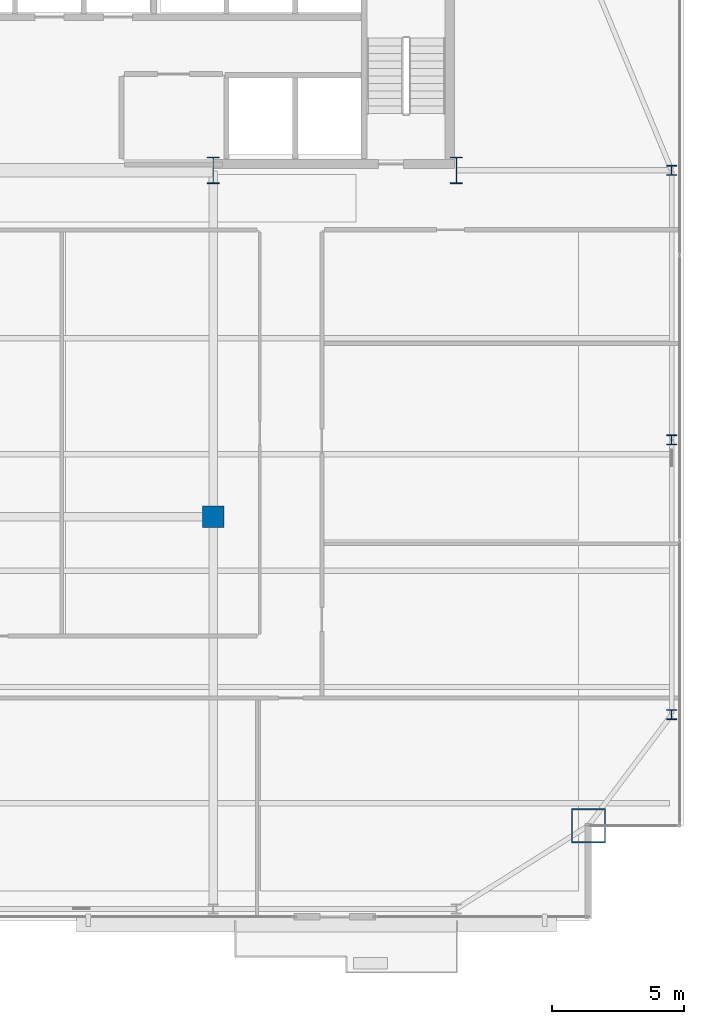
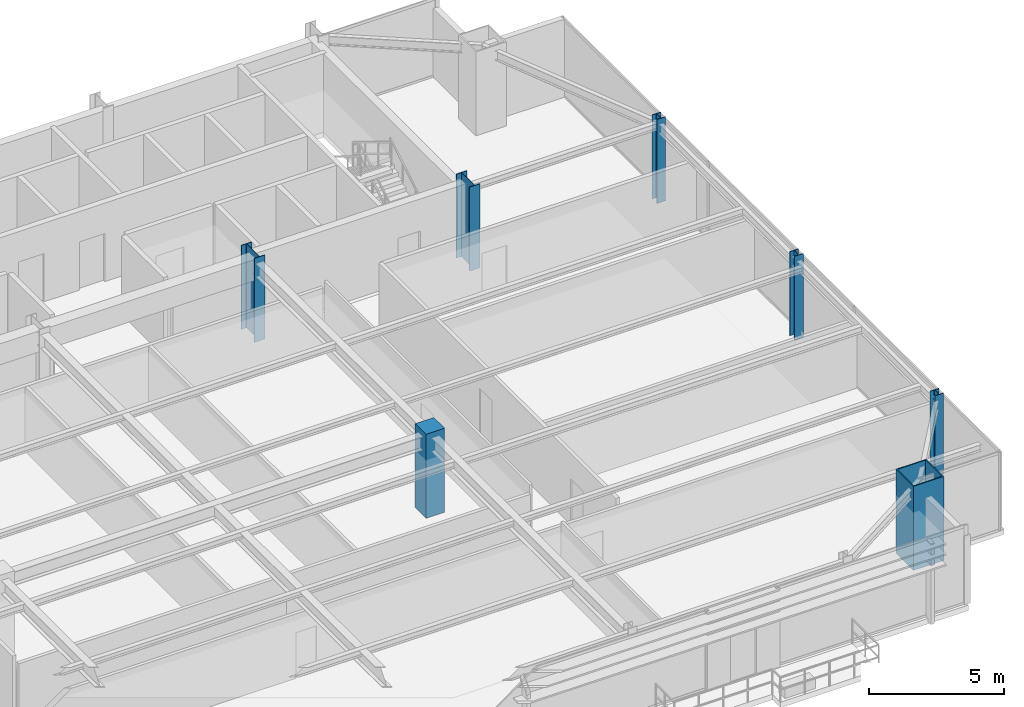
# One storey, part 2 of 31: 7 columns.
"""IFC4 building model written with IfcOpenShell, lengths in metres."""

from ifc_helpers import new_model, si_unit, direction, frame, origin, origin_2d, place, context, subcontext, project, spatial, rectangle, hollow_rectangle, i_section, extrude, source, transform, mapped, material, material_profile, profile_set, type_object, type_shapes, element, save


model = new_model("IFC4")

# Units and contexts
model_context = context("Model", 3, precision=1e-05, world=origin(), true_north=direction((0.0, 1.0)))
body_context = subcontext(model_context, "Body", "Model", "MODEL_VIEW")
ifc_project = project(units=[si_unit("LENGTHUNIT", "METRE"), si_unit("AREAUNIT", "SQUARE_METRE"), si_unit("VOLUMEUNIT", "CUBIC_METRE"), si_unit("PLANEANGLEUNIT", "RADIAN"), si_unit("MASSUNIT", "GRAM", prefix="KILO")], contexts=[model_context])

# Site, building, storey
site_placement = place(None, origin())
site = spatial("IfcSite", under=ifc_project, at=site_placement, CompositionType="ELEMENT")
building_placement = place(site_placement, origin())
building = spatial("IfcBuilding", under=site, at=building_placement, Name="Varnel Quay Broadcast Tower", CompositionType="ELEMENT")
storey_placement = place(building_placement, frame((0.0, 0.0, 183.800048828125)))
storey = spatial("IfcBuildingStorey", under=building, at=storey_placement, Name="L45", CompositionType="ELEMENT", Elevation=183.800048828125)

# Columns
ifc_material_1 = material(Name="Structural Steel CSA G40.21 350WT", Category="steel")
ifc_material_profile_1 = material_profile(ifc_material_1, i_section(OverallWidth=0.449951171875, OverallDepth=1.0, WebThickness=0.01611328125, FlangeThickness=0.030029296875, FilletRadius=0.01611328125, at=origin_2d()), Name="WWF1000X362")
ifc_profile_set_1 = profile_set([ifc_material_profile_1], Name="Structural Steel CSA G40.21 350WT")
column_type_1 = type_object("IfcColumnType", Name="Col_WWF1000X362", PredefinedType="COLUMN", material=ifc_profile_set_1)
shared_shape_1 = source(origin(), body_context, "Body", "SweptSolid", [
    extrude(i_section(OverallWidth=0.449951171875, OverallDepth=1.0, WebThickness=0.01611328125, FlangeThickness=0.030029296875, FilletRadius=0.01611328125, at=origin_2d()), origin(), (0.0, 0.0, 1.0), 3.800048828125),
])
type_shapes(column_type_1, [shared_shape_1])
for number, where, z_axis, x_axis, name in (
    (1, (43.199951171875, 35.60009765625, 0.0), (0.0, 0.0, 1.0), (1.0, 0.0, 0.0), "L45 Column CC-S4"),
    (2, (52.39990234375, 35.60009765625, 0.0), (0.0, 0.0, 1.0), (1.0, 0.0, 0.0), "L45 Column CC-S5"),
):
    element("IfcColumn", number, at=place(storey_placement, frame(where, z_axis=z_axis, x_axis=x_axis)), inside=storey, type_object=column_type_1, Name=name, PredefinedType="COLUMN", context=body_context, shape_type="MappedRepresentation", body=[
        mapped(shared_shape_1, transform((0.0, 0.0, 0.0), x_axis=(1.0, 0.0, 0.0), y_axis=(0.0, 1.0, 0.0), z_axis=(0.0, 0.0, 1.0), scale=1.0)),
    ])
ifc_material_profile_2 = material_profile(ifc_material_1, hollow_rectangle(XDim=1.300048828125, YDim=1.300048828125, WallThickness=0.050048828125, at=origin_2d()), Name="BOX1300X1300X50")
ifc_profile_set_2 = profile_set([ifc_material_profile_2], Name="Structural Steel CSA G40.21 350WT")
column_type_2 = type_object("IfcColumnType", Name="Col_BOX1300X1300X50", PredefinedType="COLUMN", material=ifc_profile_set_2)
shared_shape_2 = source(origin(), body_context, "Body", "SweptSolid", [
    extrude(hollow_rectangle(XDim=1.300048828125, YDim=1.300048828125, WallThickness=0.050048828125, at=origin_2d()), origin(), (0.0, 0.0, 1.0), 3.800048828125),
])
type_shapes(column_type_2, [shared_shape_2])
column_1_placement = place(storey_placement, frame((57.39990234375, 10.800048828125, 0.0), z_axis=(0.0, 0.0, 1.0), x_axis=(1.0, 0.0, 0.0)))
element("IfcColumn", 3, at=column_1_placement, inside=storey, type_object=column_type_2, Name="L45 Column MC-SE", PredefinedType="COLUMN", context=body_context, shape_type="MappedRepresentation", body=[
    mapped(shared_shape_2, transform((0.0, 0.0, 0.0), x_axis=(1.0, 0.0, 0.0), y_axis=(0.0, 1.0, 0.0), z_axis=(0.0, 0.0, 1.0), scale=1.0)),
])
ifc_material_2 = material(Name="Structural Steel CSA G40.21 350W", Category="steel")
ifc_material_profile_3 = material_profile(ifc_material_2, i_section(OverallWidth=0.3740234375, OverallDepth=0.3720703125, WebThickness=0.016357421875, FlangeThickness=0.026123046875, FilletRadius=0.01611328125, at=origin_2d()), Name="W360X196")
ifc_profile_set_3 = profile_set([ifc_material_profile_3], Name="Structural Steel CSA G40.21 350W")
column_type_3 = type_object("IfcColumnType", Name="Col_W360X196", PredefinedType="COLUMN", material=ifc_profile_set_3)
shared_shape_3 = source(origin(), body_context, "Body", "SweptSolid", [
    extrude(i_section(OverallWidth=0.3740234375, OverallDepth=0.3720703125, WebThickness=0.016357421875, FlangeThickness=0.026123046875, FilletRadius=0.01611328125, at=origin_2d()), origin(), (0.0, 0.0, 1.0), 3.800048828125),
])
type_shapes(column_type_3, [shared_shape_3])
for number, where, z_axis, x_axis, name in (
    (4, (60.550048828125, 15.0, 0.0), (0.0, 0.0, 1.0), (1.0, 0.0, 0.0), "L45 Column TC-E1"),
    (5, (60.550048828125, 25.39990234375, 0.0), (0.0, 0.0, 1.0), (1.0, 0.0, 0.0), "L45 Column TC-E2"),
    (6, (60.550048828125, 35.60009765625, 0.0), (0.0, 0.0, 1.0), (1.0, 0.0, 0.0), "L45 Column TC-E3"),
):
    element("IfcColumn", number, at=place(storey_placement, frame(where, z_axis=z_axis, x_axis=x_axis)), inside=storey, type_object=column_type_3, Name=name, PredefinedType="COLUMN", context=body_context, shape_type="MappedRepresentation", body=[
        mapped(shared_shape_3, transform((0.0, 0.0, 0.0), x_axis=(1.0, 0.0, 0.0), y_axis=(0.0, 1.0, 0.0), z_axis=(0.0, 0.0, 1.0), scale=1.0)),
    ])
ifc_material_3 = material(Name="Concrete CSA A23.3 C50/60", Category="concrete")
ifc_material_profile_4 = material_profile(ifc_material_3, rectangle(XDim=0.800048828125, YDim=0.800048828125, at=origin_2d()), Name="RC800X800")
ifc_profile_set_4 = profile_set([ifc_material_profile_4], Name="Concrete CSA A23.3 C50/60")
column_type_4 = type_object("IfcColumnType", Name="Col_RC800X800", PredefinedType="COLUMN", material=ifc_profile_set_4)
shared_shape_4 = source(origin(), body_context, "Body", "SweptSolid", [
    extrude(rectangle(XDim=0.800048828125, YDim=0.800048828125, at=origin_2d()), origin(), (0.0, 0.0, 1.0), 3.800048828125),
])
type_shapes(column_type_4, [shared_shape_4])
column_2_placement = place(storey_placement, frame((43.199951171875, 22.489990234375, 0.0), z_axis=(0.0, 0.0, 1.0), x_axis=(1.0, 0.0, 0.0)))
element("IfcColumn", 7, at=column_2_placement, inside=storey, type_object=column_type_4, Name="L45 Column IC-02", PredefinedType="COLUMN", context=body_context, shape_type="MappedRepresentation", body=[
    mapped(shared_shape_4, transform((0.0, 0.0, 0.0), x_axis=(1.0, 0.0, 0.0), y_axis=(0.0, 1.0, 0.0), z_axis=(0.0, 0.0, 1.0), scale=1.0)),
])

save(model, "model.ifc")
